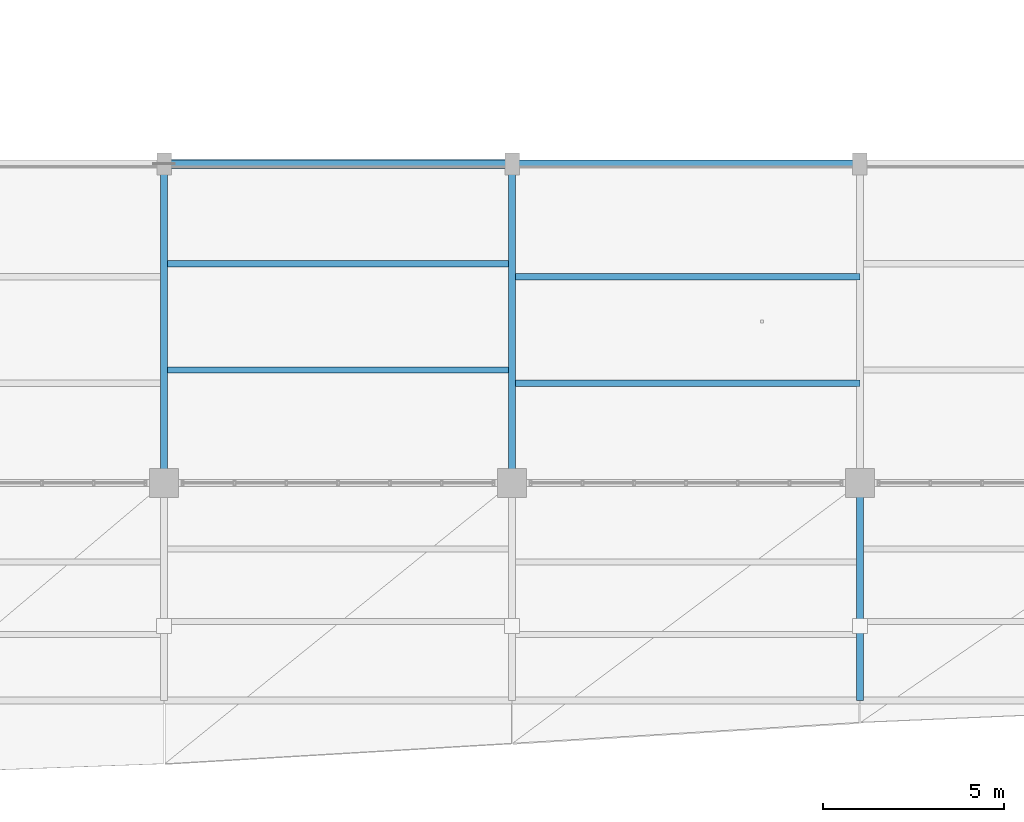
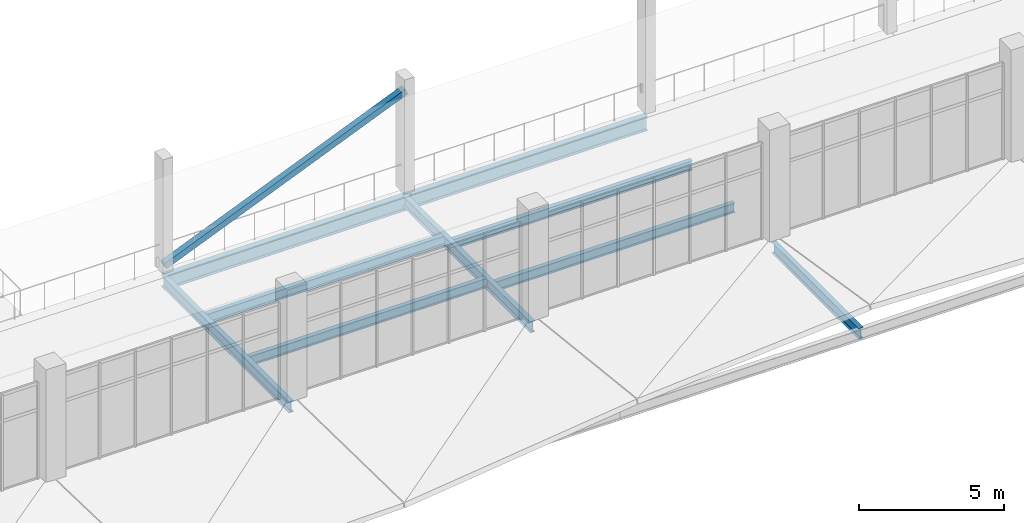
# One storey, part 51 of 157: 9 beams, 1 member.
"""IFC4 building model written with IfcOpenShell, lengths in metres."""

from ifc_helpers import new_model, si_unit, direction, frame, origin, origin_2d, place, context, subcontext, project, spatial, hollow_rectangle, i_section, extrude, material, material_profile, profile_set, type_object, element, save


model = new_model("IFC4")

# Units and contexts
model_context = context("Model", 3, precision=1e-05, world=origin(), true_north=direction((0.0, 1.0)))
body_context = subcontext(model_context, "Body", "Model", "MODEL_VIEW")
ifc_project = project(units=[si_unit("LENGTHUNIT", "METRE"), si_unit("AREAUNIT", "SQUARE_METRE"), si_unit("VOLUMEUNIT", "CUBIC_METRE"), si_unit("PLANEANGLEUNIT", "RADIAN"), si_unit("MASSUNIT", "GRAM", prefix="KILO")], contexts=[model_context])

# Site, building, storey
site_placement = place(None, origin())
site = spatial("IfcSite", under=ifc_project, at=site_placement, CompositionType="ELEMENT")
building_placement = place(site_placement, origin())
building = spatial("IfcBuilding", under=site, at=building_placement, Name="Chalmorin Arch Market", CompositionType="ELEMENT")
storey_placement = place(building_placement, frame((0.0, 0.0, 4.800048828125)))
storey = spatial("IfcBuildingStorey", under=building, at=storey_placement, Name="L01", CompositionType="ELEMENT", Elevation=4.800048828125)

# Beams
ifc_material_1 = material(Name="Steel A992 Grade 50", Category="steel")
ifc_material_profile_1 = material_profile(ifc_material_1, i_section(OverallWidth=0.19091796875, OverallDepth=0.45703125, WebThickness=0.009033203125, FlangeThickness=0.014404296875, FilletRadius=0.02001953125, at=origin_2d()), Name="W18X50")
ifc_profile_set_1 = profile_set([ifc_material_profile_1], Name="Steel A992 Grade 50")
beam_type_1 = type_object("IfcBeamType", Name="FloorSteelBeam-W18X50", PredefinedType="BEAM", material=ifc_profile_set_1)
beam_1_placement = place(storey_placement, frame((96.0, 0.0, -0.48046875), z_axis=(0.0, 1.0, 0.0), x_axis=(-1.0, 0.0, 0.0)))
element("IfcBeam", 1, at=beam_1_placement, inside=storey, type_object=beam_type_1, Name="BM-W18B-1045", PredefinedType="BEAM", context=body_context, shape_type="SweptSolid", body=[
    extrude(i_section(OverallWidth=0.19091796875, OverallDepth=0.45703125, WebThickness=0.009033203125, FlangeThickness=0.014404296875, FilletRadius=0.02001953125, at=origin_2d()), origin(), (0.0, 0.0, 1.0), 6.0),
])
ifc_material_profile_2 = material_profile(ifc_material_1, i_section(OverallWidth=0.193115234375, OverallDepth=0.466064453125, WebThickness=0.011474609375, FlangeThickness=0.01904296875, FilletRadius=0.02001953125, at=origin_2d()), Name="W18X65")
ifc_profile_set_2 = profile_set([ifc_material_profile_2], Name="Steel A992 Grade 50")
beam_type_2 = type_object("IfcBeamType", Name="FloorSteelBeam-W18X65", PredefinedType="BEAM", material=ifc_profile_set_2)
for number, where, z_axis, x_axis, name in (
    (2, (76.800048828125, 6.0, -0.485107421875), (0.0, 1.0, 0.0), (-1.0, 0.0, 0.0), "BM-W18A-0609"),
    (3, (86.39990234375, 6.0, -0.485107421875), (0.0, 1.0, 0.0), (-1.0, 0.0, 0.0), "BM-W18A-0612"),
):
    element("IfcBeam", number, at=place(storey_placement, frame(where, z_axis=z_axis, x_axis=x_axis)), inside=storey, type_object=beam_type_2, Name=name, PredefinedType="BEAM", context=body_context, shape_type="SweptSolid", body=[
        extrude(i_section(OverallWidth=0.193115234375, OverallDepth=0.466064453125, WebThickness=0.011474609375, FlangeThickness=0.01904296875, FilletRadius=0.02001953125, at=origin_2d()), origin(), (0.0, 0.0, 1.0), 8.800048828125),
    ])

# Member
ifc_material_2 = material(Name="Steel A500 Grade C", Category="steel")
ifc_material_profile_3 = material_profile(ifc_material_2, hollow_rectangle(XDim=0.25390625, YDim=0.25390625, WallThickness=0.01171875, at=origin_2d()), Name="HSS10X10X1/2")
ifc_profile_set_3 = profile_set([ifc_material_profile_3], Name="Steel A500 Grade C")
member_type = type_object("IfcMemberType", Name="LateralTubeBrace-HSS10X10", PredefinedType="BRACE", material=ifc_profile_set_3)
member_placement = place(storey_placement, frame((76.800048828125, 14.800048828125, 0.14990234375), z_axis=(0.923074839451, 0.0, 0.384620385279), x_axis=(0.0, 1.0, 0.0)))
element("IfcMember", 4, at=member_placement, inside=storey, type_object=member_type, Name="BR-HS10-0336", ObjectType="Diagonal brace", PredefinedType="BRACE", context=body_context, shape_type="SweptSolid", body=[
    extrude(hollow_rectangle(XDim=0.25390625, YDim=0.25390625, WallThickness=0.01171875, at=origin_2d()), origin(), (0.0, 0.0, 1.0), 10.39990234375),
])

# Beams
ifc_material_profile_4 = material_profile(ifc_material_1, i_section(OverallWidth=0.22802734375, OverallDepth=0.60791015625, WebThickness=0.01123046875, FlangeThickness=0.017333984375, FilletRadius=0.02392578125, at=origin_2d()), Name="W24X76")
ifc_profile_set_4 = profile_set([ifc_material_profile_4], Name="Steel A992 Grade 50")
beam_type_3 = type_object("IfcBeamType", Name="PrimarySteelGirder-W24X76", PredefinedType="BEAM", material=ifc_profile_set_4)
beam_2_placement = place(storey_placement, frame((76.800048828125, 14.800048828125, -0.55615234375), z_axis=(1.0, 0.0, 0.0), x_axis=(0.0, 1.0, 0.0)))
element("IfcBeam", 5, at=beam_2_placement, inside=storey, type_object=beam_type_3, Name="BG-W24B-0611", PredefinedType="BEAM", context=body_context, shape_type="SweptSolid", body=[
    extrude(i_section(OverallWidth=0.22802734375, OverallDepth=0.60791015625, WebThickness=0.01123046875, FlangeThickness=0.017333984375, FilletRadius=0.02392578125, at=origin_2d()), origin(), (0.0, 0.0, 1.0), 9.599853515625),
])
beam_3_placement = place(storey_placement, frame((86.39990234375, 14.800048828125, -0.55615234375), z_axis=(1.0, 0.0, 0.0), x_axis=(0.0, 1.0, 0.0)))
element("IfcBeam", 6, at=beam_3_placement, inside=storey, type_object=beam_type_3, Name="BG-W24B-0614", PredefinedType="BEAM", context=body_context, shape_type="SweptSolid", body=[
    extrude(i_section(OverallWidth=0.22802734375, OverallDepth=0.60791015625, WebThickness=0.01123046875, FlangeThickness=0.017333984375, FilletRadius=0.02392578125, at=origin_2d()), origin(), (0.0, 0.0, 1.0), 9.60009765625),
])
ifc_material_profile_5 = material_profile(ifc_material_1, i_section(OverallWidth=0.177978515625, OverallDepth=0.403076171875, WebThickness=0.007568359375, FlangeThickness=0.010986328125, FilletRadius=0.01806640625, at=origin_2d()), Name="W16X36")
ifc_profile_set_5 = profile_set([ifc_material_profile_5], Name="Steel A992 Grade 50")
beam_type_4 = type_object("IfcBeamType", Name="SecondaryFloorJoist-W16X36", PredefinedType="JOIST", material=ifc_profile_set_5)
for number, where, z_axis, x_axis, name in (
    (7, (76.800048828125, 9.11328125, -0.45361328125), (1.0, 0.0, 0.0), (0.0, 1.0, 0.0), "BJ-W16B-0629"),
    (8, (76.800048828125, 12.046630859375, -0.45361328125), (1.0, 0.0, 0.0), (0.0, 1.0, 0.0), "BJ-W16B-0630"),
):
    element("IfcBeam", number, at=place(storey_placement, frame(where, z_axis=z_axis, x_axis=x_axis)), inside=storey, type_object=beam_type_4, Name=name, PredefinedType="JOIST", context=body_context, shape_type="SweptSolid", body=[
        extrude(i_section(OverallWidth=0.177978515625, OverallDepth=0.403076171875, WebThickness=0.007568359375, FlangeThickness=0.010986328125, FilletRadius=0.01806640625, at=origin_2d()), origin(), (0.0, 0.0, 1.0), 9.599853515625),
    ])
for number, where, z_axis, x_axis, name in (
    (9, (86.39990234375, 8.75341796875, -0.45361328125), (1.0, 0.0, 0.0), (0.0, 1.0, 0.0), "BJ-W16B-0631"),
    (10, (86.39990234375, 11.686767578125, -0.45361328125), (1.0, 0.0, 0.0), (0.0, 1.0, 0.0), "BJ-W16B-0632"),
):
    element("IfcBeam", number, at=place(storey_placement, frame(where, z_axis=z_axis, x_axis=x_axis)), inside=storey, type_object=beam_type_4, Name=name, PredefinedType="JOIST", context=body_context, shape_type="SweptSolid", body=[
        extrude(i_section(OverallWidth=0.177978515625, OverallDepth=0.403076171875, WebThickness=0.007568359375, FlangeThickness=0.010986328125, FilletRadius=0.01806640625, at=origin_2d()), origin(), (0.0, 0.0, 1.0), 9.60009765625),
    ])

save(model, "model.ifc")
